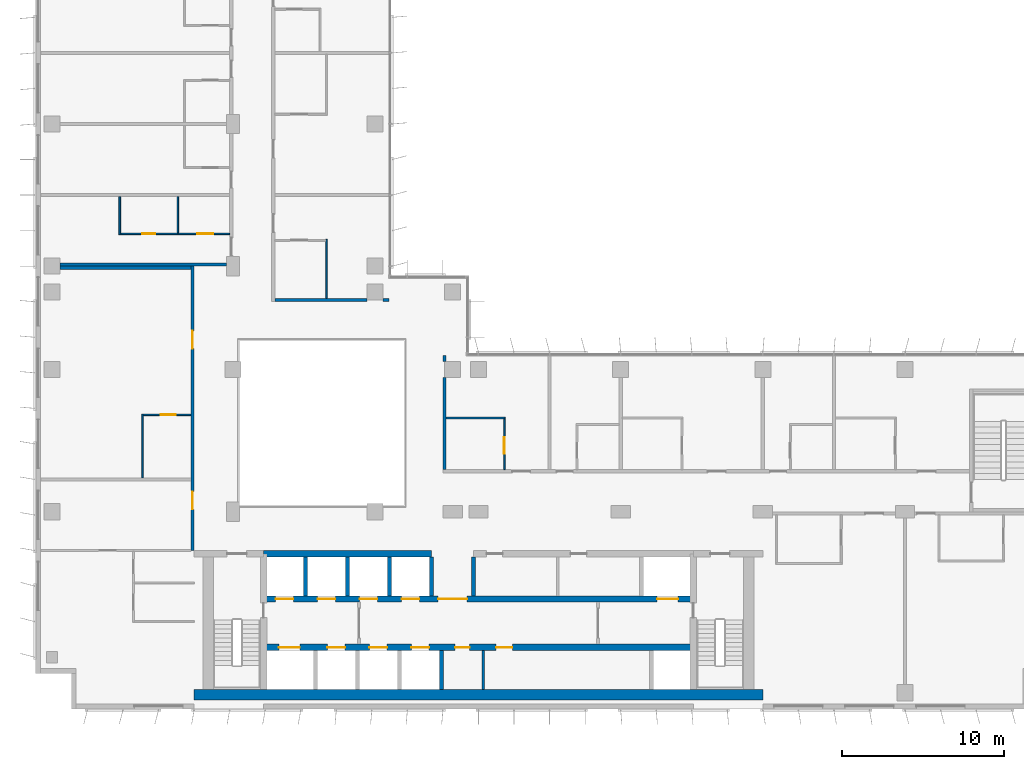
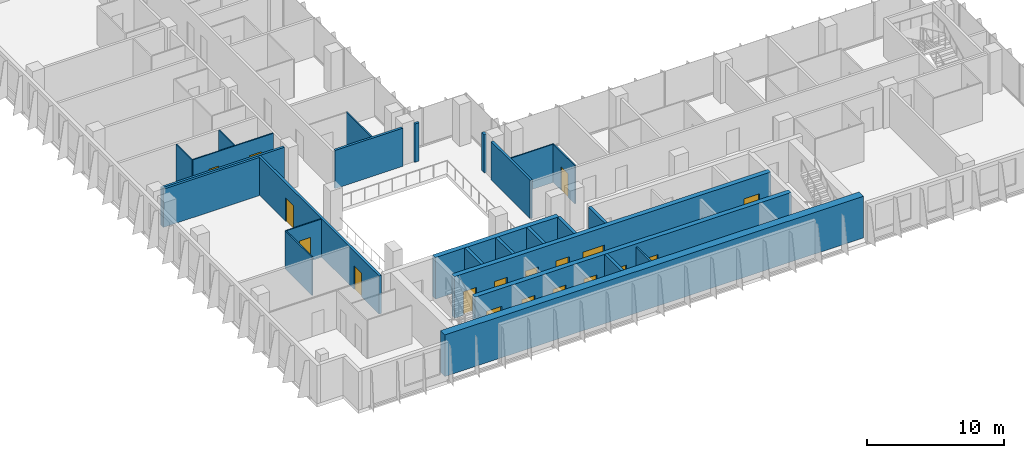
# One storey, part 13 of 21: 26 walls, 18 doors, 18 openings.
"""IFC4 building model written with IfcOpenShell, lengths in metres."""

from ifc_helpers import new_model, si_unit, direction, frame, frame_2d, origin, place, context, subcontext, project, spatial, rectangle, extrude, material, layer, layer_set, type_object, element, fill, save


model = new_model("IFC4")

# Units and contexts
model_context = context("Model", 3, precision=1e-05, world=origin(), true_north=direction((0.0, 1.0)))
body_context = subcontext(model_context, "Body", "Model", "MODEL_VIEW")
ifc_project = project(units=[si_unit("LENGTHUNIT", "METRE"), si_unit("AREAUNIT", "SQUARE_METRE"), si_unit("VOLUMEUNIT", "CUBIC_METRE"), si_unit("PLANEANGLEUNIT", "RADIAN"), si_unit("MASSUNIT", "GRAM", prefix="KILO")], contexts=[model_context])

# Site, building, storey
site_placement = place(None, origin())
site = spatial("IfcSite", under=ifc_project, at=site_placement, CompositionType="ELEMENT")
building_placement = place(site_placement, origin())
building = spatial("IfcBuilding", under=site, at=building_placement, Name="Kemantara Hotel Tower", CompositionType="ELEMENT")
storey_placement = place(building_placement, frame((0.0, 0.0, 164.199951171875)))
storey = spatial("IfcBuildingStorey", under=building, at=storey_placement, Name="L40", CompositionType="ELEMENT", Elevation=164.199951171875)

# Walls
ifc_material_1 = material(Name="Concrete fc 60 MPa", Category="concrete")
ifc_layer_1 = layer(ifc_material_1, 0.25)
ifc_layer_set_1 = layer_set([ifc_layer_1], Name="Concrete fc 60 MPa")
wall_type_1 = type_object("IfcWallType", Name="CORE WALL 250 FC60", PredefinedType="SHEAR", material=ifc_layer_set_1)
wall_1_placement = place(storey_placement, frame((25.10009765625, 1.199951171875, 0.0), z_axis=(0.0, 0.0, 1.0), x_axis=(0.0, 1.0, 0.0)))
element("IfcWall", 1, at=wall_1_placement, inside=storey, type_object=wall_type_1, Name="CORE WALL CW-DS25.1", PredefinedType="SHEAR", context=body_context, shape_type="SweptSolid", body=[
    extrude(rectangle(XDim=2.400146484375, YDim=0.25, at=frame_2d((1.2001953125, 0.0))), origin(), (0.0, 0.0, 1.0), 3.699951171875),
])
for number, where, z_axis, x_axis, name in (
    (2, (16.699951171875, 7.0, 0.0), (0.0, 0.0, 1.0), (0.0, 1.0, 0.0), "CORE WALL CW-DN16.7"),
    (3, (19.300048828125, 7.0, 0.0), (0.0, 0.0, 1.0), (0.0, 1.0, 0.0), "CORE WALL CW-DN19.3"),
    (4, (21.89990234375, 7.0, 0.0), (0.0, 0.0, 1.0), (0.0, 1.0, 0.0), "CORE WALL CW-DN21.9"),
    (5, (24.5, 7.0, 0.0), (0.0, 0.0, 1.0), (0.0, 1.0, 0.0), "CORE WALL CW-DN24.5"),
    (6, (27.10009765625, 7.0, 0.0), (0.0, 0.0, 1.0), (0.0, 1.0, 0.0), "CORE WALL CW-DN27.1"),
):
    element("IfcWall", number, at=place(storey_placement, frame(where, z_axis=z_axis, x_axis=x_axis)), inside=storey, type_object=wall_type_1, Name=name, PredefinedType="SHEAR", context=body_context, shape_type="SweptSolid", body=[
        extrude(rectangle(XDim=2.39990234375, YDim=0.25, at=frame_2d((1.199951171875, 0.0))), origin(), (0.0, 0.0, 1.0), 3.699951171875),
    ])
ifc_layer_2 = layer(ifc_material_1, 0.39990234375)
ifc_layer_set_2 = layer_set([ifc_layer_2], Name="Concrete fc 60 MPa")
wall_type_2 = type_object("IfcWallType", Name="CORE WALL 400 FC60", PredefinedType="SHEAR", material=ifc_layer_set_2)
wall_2_placement = place(storey_placement, frame((14.10009765625, 9.60009765625, 0.0), z_axis=(0.0, 0.0, 1.0), x_axis=(1.0, 0.0, 0.0)))
element("IfcWall", 7, at=wall_2_placement, inside=storey, type_object=wall_type_2, Name="CORE WALL CW-NN1", PredefinedType="SHEAR", context=body_context, shape_type="SweptSolid", body=[
    extrude(rectangle(XDim=10.39990234375, YDim=0.39990234375, at=frame_2d((5.199951171875, 0.0))), origin(), (0.0, 0.0, 1.0), 3.699951171875),
])

# Wall, openings, doors
wall_3_placement = place(storey_placement, frame((14.10009765625, 3.800048828125, 0.0), z_axis=(0.0, 0.0, 1.0), x_axis=(1.0, 0.0, 0.0)))
wall_3 = element("IfcWall", 8, at=wall_3_placement, inside=storey, type_object=wall_type_2, Name="CORE WALL CW-L1", PredefinedType="SHEAR", context=body_context, shape_type="SweptSolid", body=[
    extrude(rectangle(XDim=26.599853515625, YDim=0.39990234375, at=frame_2d((13.2998046875, 0.0))), origin(), (0.0, 0.0, 1.0), 3.699951171875),
])
opening_1_placement = place(wall_3_placement, frame((0.949951171875, 0.0, 0.0)))
opening_1 = element("IfcOpeningElement", 9, at=opening_1_placement, cuts=wall_3, Name="Opening C25-LD-FF1", PredefinedType="OPENING", context=body_context, shape_type="SweptSolid", body=[
    extrude(rectangle(XDim=1.300048828125, YDim=2.10009765625, at=frame_2d((0.64990234375, 1.050048828125))), frame((0.0, 0.2099609375, 0.0), z_axis=(0.0, -1.0, 0.0), x_axis=(1.0, 0.0, 0.0)), (0.0, 0.0, 1.0), 0.419921875),
])
opening_2_placement = place(wall_3_placement, frame((3.949951171875, 0.0, 0.0)))
opening_2 = element("IfcOpeningElement", 10, at=opening_2_placement, cuts=wall_3, Name="Opening C25-LD-SV1", PredefinedType="OPENING", context=body_context, shape_type="SweptSolid", body=[
    extrude(rectangle(XDim=1.10009765625, YDim=2.10009765625, at=frame_2d((0.550048828125, 1.050048828125))), frame((0.0, 0.2099609375, 0.0), z_axis=(0.0, -1.0, 0.0), x_axis=(1.0, 0.0, 0.0)), (0.0, 0.0, 1.0), 0.419921875),
])
opening_3_placement = place(wall_3_placement, frame((6.550048828125, 0.0, 0.0)))
opening_3 = element("IfcOpeningElement", 11, at=opening_3_placement, cuts=wall_3, Name="Opening C25-LD-SV2", PredefinedType="OPENING", context=body_context, shape_type="SweptSolid", body=[
    extrude(rectangle(XDim=1.10009765625, YDim=2.10009765625, at=frame_2d((0.550048828125, 1.050048828125))), frame((0.0, 0.2099609375, 0.0), z_axis=(0.0, -1.0, 0.0), x_axis=(1.0, 0.0, 0.0)), (0.0, 0.0, 1.0), 0.419921875),
])
opening_4_placement = place(wall_3_placement, frame((9.14990234375, 0.0, 0.0)))
opening_4 = element("IfcOpeningElement", 12, at=opening_4_placement, cuts=wall_3, Name="Opening C25-LD-SV3", PredefinedType="OPENING", context=body_context, shape_type="SweptSolid", body=[
    extrude(rectangle(XDim=1.10009765625, YDim=2.10009765625, at=frame_2d((0.550048828125, 1.050048828125))), frame((0.0, 0.2099609375, 0.0), z_axis=(0.0, -1.0, 0.0), x_axis=(1.0, 0.0, 0.0)), (0.0, 0.0, 1.0), 0.419921875),
])
opening_5_placement = place(wall_3_placement, frame((11.85009765625, 0.0, 0.0)))
opening_5 = element("IfcOpeningElement", 13, at=opening_5_placement, cuts=wall_3, Name="Opening C25-R-SM1", PredefinedType="OPENING", context=body_context, shape_type="SweptSolid", body=[
    extrude(rectangle(XDim=0.89990234375, YDim=2.10009765625, at=frame_2d((0.449951171875, 1.050048828125))), frame((0.0, 0.2099609375, 0.0), z_axis=(0.0, -1.0, 0.0), x_axis=(1.0, 0.0, 0.0)), (0.0, 0.0, 1.0), 0.419921875),
])
opening_6_placement = place(wall_3_placement, frame((14.39990234375, 0.0, 0.0)))
opening_6 = element("IfcOpeningElement", 14, at=opening_6_placement, cuts=wall_3, Name="Opening C25-R-SM2", PredefinedType="OPENING", context=body_context, shape_type="SweptSolid", body=[
    extrude(rectangle(XDim=1.0, YDim=2.10009765625, at=frame_2d((0.5, 1.050048828125))), frame((0.0, 0.2099609375, 0.0), z_axis=(0.0, -1.0, 0.0), x_axis=(1.0, 0.0, 0.0)), (0.0, 0.0, 1.0), 0.419921875),
])
ifc_material_2 = material(Name="Steel fire door", Category="steel")
door_type_1 = type_object("IfcDoorType", Name="Fire door FD30S 1000 x 2100", OperationType="NOTDEFINED", PredefinedType="DOOR", material=ifc_material_2)
door_1_placement = place(opening_6_placement, frame((1.0, 0.0, 0.0), z_axis=(0.0, 0.0, 1.0), x_axis=(-1.0, 0.0, 0.0)))
door_1 = element("IfcDoor", 15, at=door_1_placement, inside=storey, type_object=door_type_1, Name="Guest Pantry door", OperationType="SINGLE_SWING_LEFT", OverallHeight=2.10009765625, OverallWidth=1.0, PredefinedType="DOOR", context=body_context, shape_type="SweptSolid", body=[
    extrude(rectangle(XDim=1.0, YDim=2.10009765625, at=frame_2d((0.5, 1.050048828125))), frame((0.0, 0.02490234375, 0.0), z_axis=(0.0, -1.0, 0.0), x_axis=(1.0, 0.0, 0.0)), (0.0, 0.0, 1.0), 0.050048828125),
])
fill(opening_6, door_1)
door_type_2 = type_object("IfcDoorType", Name="Fire door FD60 900 x 2100", OperationType="NOTDEFINED", PredefinedType="DOOR", material=ifc_material_2)
door_2_placement = place(opening_5_placement, frame((0.89990234375, 0.0, 0.0), z_axis=(0.0, 0.0, 1.0), x_axis=(-1.0, 0.0, 0.0)))
door_2 = element("IfcDoor", 16, at=door_2_placement, inside=storey, type_object=door_type_2, Name="Electrical Riser Room door", OperationType="SINGLE_SWING_RIGHT", OverallHeight=2.10009765625, OverallWidth=0.89990234375, PredefinedType="DOOR", context=body_context, shape_type="SweptSolid", body=[
    extrude(rectangle(XDim=0.89990234375, YDim=2.10009765625, at=frame_2d((0.449951171875, 1.050048828125))), frame((0.0, 0.02490234375, 0.0), z_axis=(0.0, -1.0, 0.0), x_axis=(1.0, 0.0, 0.0)), (0.0, 0.0, 1.0), 0.050048828125),
])
fill(opening_5, door_2)
ifc_material_3 = material(Name="Stainless steel lift door", Category="steel")
door_type_3 = type_object("IfcDoorType", Name="Lift landing door 1100 x 2100 FD60", OperationType="DOUBLE_DOOR_SLIDING", PredefinedType="DOOR", material=ifc_material_3)
door_3_placement = place(opening_2_placement, origin())
door_3 = element("IfcDoor", 17, at=door_3_placement, inside=storey, type_object=door_type_3, Name="Lift SV1 landing door", OperationType="DOUBLE_DOOR_SLIDING", OverallHeight=2.10009765625, OverallWidth=1.10009765625, PredefinedType="DOOR", context=body_context, shape_type="SweptSolid", body=[
    extrude(rectangle(XDim=1.10009765625, YDim=2.10009765625, at=frame_2d((0.550048828125, 1.050048828125))), frame((0.0, 0.02490234375, 0.0), z_axis=(0.0, -1.0, 0.0), x_axis=(1.0, 0.0, 0.0)), (0.0, 0.0, 1.0), 0.050048828125),
])
fill(opening_2, door_3)
door_4_placement = place(opening_3_placement, origin())
door_4 = element("IfcDoor", 18, at=door_4_placement, inside=storey, type_object=door_type_3, Name="Lift SV2 landing door", OperationType="DOUBLE_DOOR_SLIDING", OverallHeight=2.10009765625, OverallWidth=1.10009765625, PredefinedType="DOOR", context=body_context, shape_type="SweptSolid", body=[
    extrude(rectangle(XDim=1.10009765625, YDim=2.10009765625, at=frame_2d((0.550048828125, 1.050048828125))), frame((0.0, 0.02490234375, 0.0), z_axis=(0.0, -1.0, 0.0), x_axis=(1.0, 0.0, 0.0)), (0.0, 0.0, 1.0), 0.050048828125),
])
fill(opening_3, door_4)
door_5_placement = place(opening_4_placement, origin())
door_5 = element("IfcDoor", 19, at=door_5_placement, inside=storey, type_object=door_type_3, Name="Lift SV3 landing door", OperationType="DOUBLE_DOOR_SLIDING", OverallHeight=2.10009765625, OverallWidth=1.10009765625, PredefinedType="DOOR", context=body_context, shape_type="SweptSolid", body=[
    extrude(rectangle(XDim=1.10009765625, YDim=2.10009765625, at=frame_2d((0.550048828125, 1.050048828125))), frame((0.0, 0.02490234375, 0.0), z_axis=(0.0, -1.0, 0.0), x_axis=(1.0, 0.0, 0.0)), (0.0, 0.0, 1.0), 0.050048828125),
])
fill(opening_4, door_5)
door_type_4 = type_object("IfcDoorType", Name="Lift landing door 1300 x 2100 FD90", OperationType="DOUBLE_DOOR_SLIDING", PredefinedType="DOOR", material=ifc_material_3)
door_6_placement = place(opening_1_placement, origin())
door_6 = element("IfcDoor", 20, at=door_6_placement, inside=storey, type_object=door_type_4, Name="Lift FF1 landing door", OperationType="DOUBLE_DOOR_SLIDING", OverallHeight=2.10009765625, OverallWidth=1.300048828125, PredefinedType="DOOR", context=body_context, shape_type="SweptSolid", body=[
    extrude(rectangle(XDim=1.300048828125, YDim=2.10009765625, at=frame_2d((0.64990234375, 1.050048828125))), frame((0.0, 0.02490234375, 0.0), z_axis=(0.0, -1.0, 0.0), x_axis=(1.0, 0.0, 0.0)), (0.0, 0.0, 1.0), 0.050048828125),
])
fill(opening_1, door_6)

wall_4_placement = place(storey_placement, frame((14.10009765625, 6.800048828125, 0.0), z_axis=(0.0, 0.0, 1.0), x_axis=(1.0, 0.0, 0.0)))
wall_4 = element("IfcWall", 21, at=wall_4_placement, inside=storey, type_object=wall_type_2, Name="CORE WALL CW-L2", PredefinedType="SHEAR", context=body_context, shape_type="SweptSolid", body=[
    extrude(rectangle(XDim=26.599853515625, YDim=0.39990234375, at=frame_2d((13.2998046875, 0.0))), origin(), (0.0, 0.0, 1.0), 3.699951171875),
])
opening_7_placement = place(wall_4_placement, frame((10.800048828125, 0.0, 0.0)))
opening_7 = element("IfcOpeningElement", 22, at=opening_7_placement, cuts=wall_4, Name="Opening C25-VL", PredefinedType="OPENING", context=body_context, shape_type="SweptSolid", body=[
    extrude(rectangle(XDim=1.800048828125, YDim=2.10009765625, at=frame_2d((0.89990234375, 1.050048828125))), frame((0.0, 0.2099609375, 0.0), z_axis=(0.0, -1.0, 0.0), x_axis=(1.0, 0.0, 0.0)), (0.0, 0.0, 1.0), 0.419921875),
])
opening_8_placement = place(wall_4_placement, frame((0.75, 0.0, 0.0)))
opening_8 = element("IfcOpeningElement", 23, at=opening_8_placement, cuts=wall_4, Name="Opening C25-LD-MR1", PredefinedType="OPENING", context=body_context, shape_type="SweptSolid", body=[
    extrude(rectangle(XDim=1.10009765625, YDim=2.10009765625, at=frame_2d((0.550048828125, 1.050048828125))), frame((0.0, 0.2099609375, 0.0), z_axis=(0.0, -1.0, 0.0), x_axis=(1.0, 0.0, 0.0)), (0.0, 0.0, 1.0), 0.419921875),
])
opening_9_placement = place(wall_4_placement, frame((3.35009765625, 0.0, 0.0)))
opening_9 = element("IfcOpeningElement", 24, at=opening_9_placement, cuts=wall_4, Name="Opening C25-LD-MR2", PredefinedType="OPENING", context=body_context, shape_type="SweptSolid", body=[
    extrude(rectangle(XDim=1.10009765625, YDim=2.10009765625, at=frame_2d((0.550048828125, 1.050048828125))), frame((0.0, 0.2099609375, 0.0), z_axis=(0.0, -1.0, 0.0), x_axis=(1.0, 0.0, 0.0)), (0.0, 0.0, 1.0), 0.419921875),
])
opening_10_placement = place(wall_4_placement, frame((5.949951171875, 0.0, 0.0)))
opening_10 = element("IfcOpeningElement", 25, at=opening_10_placement, cuts=wall_4, Name="Opening C25-LD-MR3", PredefinedType="OPENING", context=body_context, shape_type="SweptSolid", body=[
    extrude(rectangle(XDim=1.10009765625, YDim=2.10009765625, at=frame_2d((0.550048828125, 1.050048828125))), frame((0.0, 0.2099609375, 0.0), z_axis=(0.0, -1.0, 0.0), x_axis=(1.0, 0.0, 0.0)), (0.0, 0.0, 1.0), 0.419921875),
])
opening_11_placement = place(wall_4_placement, frame((8.550048828125, 0.0, 0.0)))
opening_11 = element("IfcOpeningElement", 26, at=opening_11_placement, cuts=wall_4, Name="Opening C25-LD-MR4", PredefinedType="OPENING", context=body_context, shape_type="SweptSolid", body=[
    extrude(rectangle(XDim=1.10009765625, YDim=2.10009765625, at=frame_2d((0.550048828125, 1.050048828125))), frame((0.0, 0.2099609375, 0.0), z_axis=(0.0, -1.0, 0.0), x_axis=(1.0, 0.0, 0.0)), (0.0, 0.0, 1.0), 0.419921875),
])
opening_12_placement = place(wall_4_placement, frame((24.35009765625, 0.0, 0.0)))
opening_12 = element("IfcOpeningElement", 27, at=opening_12_placement, cuts=wall_4, Name="Opening C25-LD-FF2", PredefinedType="OPENING", context=body_context, shape_type="SweptSolid", body=[
    extrude(rectangle(XDim=1.300048828125, YDim=2.10009765625, at=frame_2d((0.64990234375, 1.050048828125))), frame((0.0, 0.2099609375, 0.0), z_axis=(0.0, -1.0, 0.0), x_axis=(1.0, 0.0, 0.0)), (0.0, 0.0, 1.0), 0.419921875),
])
door_type_5 = type_object("IfcDoorType", Name="Fire door pair FD60 1800 x 2100", OperationType="DOUBLE_DOOR_SINGLE_SWING", PredefinedType="DOOR", material=ifc_material_2)
door_7_placement = place(opening_7_placement, frame((1.800048828125, 0.0, 0.0), z_axis=(0.0, 0.0, 1.0), x_axis=(-1.0, 0.0, 0.0)))
door_7 = element("IfcDoor", 28, at=door_7_placement, inside=storey, type_object=door_type_5, Name="Lift lobby entry door", OperationType="DOUBLE_DOOR_SINGLE_SWING", OverallHeight=2.10009765625, OverallWidth=1.800048828125, PredefinedType="DOOR", context=body_context, shape_type="SweptSolid", body=[
    extrude(rectangle(XDim=1.800048828125, YDim=2.10009765625, at=frame_2d((0.89990234375, 1.050048828125))), frame((0.0, 0.02490234375, 0.0), z_axis=(0.0, -1.0, 0.0), x_axis=(1.0, 0.0, 0.0)), (0.0, 0.0, 1.0), 0.050048828125),
])
fill(opening_7, door_7)
door_8_placement = place(opening_8_placement, origin())
door_8 = element("IfcDoor", 29, at=door_8_placement, inside=storey, type_object=door_type_3, Name="Lift MR1 landing door", OperationType="DOUBLE_DOOR_SLIDING", OverallHeight=2.10009765625, OverallWidth=1.10009765625, PredefinedType="DOOR", context=body_context, shape_type="SweptSolid", body=[
    extrude(rectangle(XDim=1.10009765625, YDim=2.10009765625, at=frame_2d((0.550048828125, 1.050048828125))), frame((0.0, 0.02490234375, 0.0), z_axis=(0.0, -1.0, 0.0), x_axis=(1.0, 0.0, 0.0)), (0.0, 0.0, 1.0), 0.050048828125),
])
fill(opening_8, door_8)
door_9_placement = place(opening_9_placement, origin())
door_9 = element("IfcDoor", 30, at=door_9_placement, inside=storey, type_object=door_type_3, Name="Lift MR2 landing door", OperationType="DOUBLE_DOOR_SLIDING", OverallHeight=2.10009765625, OverallWidth=1.10009765625, PredefinedType="DOOR", context=body_context, shape_type="SweptSolid", body=[
    extrude(rectangle(XDim=1.10009765625, YDim=2.10009765625, at=frame_2d((0.550048828125, 1.050048828125))), frame((0.0, 0.02490234375, 0.0), z_axis=(0.0, -1.0, 0.0), x_axis=(1.0, 0.0, 0.0)), (0.0, 0.0, 1.0), 0.050048828125),
])
fill(opening_9, door_9)
door_10_placement = place(opening_10_placement, origin())
door_10 = element("IfcDoor", 31, at=door_10_placement, inside=storey, type_object=door_type_3, Name="Lift MR3 landing door", OperationType="DOUBLE_DOOR_SLIDING", OverallHeight=2.10009765625, OverallWidth=1.10009765625, PredefinedType="DOOR", context=body_context, shape_type="SweptSolid", body=[
    extrude(rectangle(XDim=1.10009765625, YDim=2.10009765625, at=frame_2d((0.550048828125, 1.050048828125))), frame((0.0, 0.02490234375, 0.0), z_axis=(0.0, -1.0, 0.0), x_axis=(1.0, 0.0, 0.0)), (0.0, 0.0, 1.0), 0.050048828125),
])
fill(opening_10, door_10)
door_11_placement = place(opening_11_placement, origin())
door_11 = element("IfcDoor", 32, at=door_11_placement, inside=storey, type_object=door_type_3, Name="Lift MR4 landing door", OperationType="DOUBLE_DOOR_SLIDING", OverallHeight=2.10009765625, OverallWidth=1.10009765625, PredefinedType="DOOR", context=body_context, shape_type="SweptSolid", body=[
    extrude(rectangle(XDim=1.10009765625, YDim=2.10009765625, at=frame_2d((0.550048828125, 1.050048828125))), frame((0.0, 0.02490234375, 0.0), z_axis=(0.0, -1.0, 0.0), x_axis=(1.0, 0.0, 0.0)), (0.0, 0.0, 1.0), 0.050048828125),
])
fill(opening_11, door_11)
door_12_placement = place(opening_12_placement, origin())
door_12 = element("IfcDoor", 33, at=door_12_placement, inside=storey, type_object=door_type_4, Name="Lift FF2 landing door", OperationType="DOUBLE_DOOR_SLIDING", OverallHeight=2.10009765625, OverallWidth=1.300048828125, PredefinedType="DOOR", context=body_context, shape_type="SweptSolid", body=[
    extrude(rectangle(XDim=1.300048828125, YDim=2.10009765625, at=frame_2d((0.64990234375, 1.050048828125))), frame((0.0, 0.02490234375, 0.0), z_axis=(0.0, -1.0, 0.0), x_axis=(1.0, 0.0, 0.0)), (0.0, 0.0, 1.0), 0.050048828125),
])
fill(opening_12, door_12)

# Wall
ifc_layer_3 = layer(ifc_material_1, 0.64990234375)
ifc_layer_set_3 = layer_set([ifc_layer_3], Name="Concrete fc 60 MPa")
wall_type_3 = type_object("IfcWallType", Name="CORE WALL 650 FC60", PredefinedType="SHEAR", material=ifc_layer_set_3)
wall_5_placement = place(storey_placement, frame((9.800048828125, 0.875, 0.0), z_axis=(0.0, 0.0, 1.0), x_axis=(1.0, 0.0, 0.0)))
element("IfcWall", 34, at=wall_5_placement, inside=storey, type_object=wall_type_3, Name="CORE WALL CW-S", PredefinedType="SHEAR", context=body_context, shape_type="SweptSolid", body=[
    extrude(rectangle(XDim=35.199951171875, YDim=0.64990234375, at=frame_2d((17.60009765625, 0.0))), origin(), (0.0, 0.0, 1.0), 3.699951171875),
])

# Wall, openings, doors
ifc_material_4 = material(Name="Gypsum board partition, steel studs and mineral wool, 200 mm", Category="steel")
ifc_layer_4 = layer(ifc_material_4, 0.199951171875)
ifc_layer_set_4 = layer_set([ifc_layer_4], Name="Gypsum board partition, steel studs and mineral wool, 200 mm")
wall_type_4 = type_object("IfcWallType", Name="CORRIDOR WALL 200", PredefinedType="PARTITIONING", material=ifc_layer_set_4)
wall_6_placement = place(storey_placement, frame((9.699951171875, 9.800048828125, 0.0), z_axis=(0.0, 0.0, 1.0), x_axis=(0.0, 1.0, 0.0)))
wall_6 = element("IfcWall", 35, at=wall_6_placement, inside=storey, type_object=wall_type_4, Name="CORRIDOR WALL 200 012", PredefinedType="PARTITIONING", context=body_context, shape_type="SweptSolid", body=[
    extrude(rectangle(XDim=17.599853515625, YDim=0.199951171875, at=frame_2d((8.7998046875, 0.0))), origin(), (0.0, 0.0, 1.0), 3.400146484375),
])
opening_13_placement = place(wall_6_placement, frame((2.550048828125, 0.0, 0.0)))
opening_13 = element("IfcOpeningElement", 36, at=opening_13_placement, cuts=wall_6, Name="Opening F18-015", PredefinedType="OPENING", context=body_context, shape_type="SweptSolid", body=[
    extrude(rectangle(XDim=1.10009765625, YDim=2.10009765625, at=frame_2d((0.550048828125, 1.050048828125))), frame((0.0, 0.10986328125, 0.0), z_axis=(0.0, -1.0, 0.0), x_axis=(1.0, 0.0, 0.0)), (0.0, 0.0, 1.0), 0.219970703125),
])
opening_14_placement = place(wall_6_placement, frame((12.5, 0.0, 0.0)))
opening_14 = element("IfcOpeningElement", 37, at=opening_14_placement, cuts=wall_6, Name="Opening F18-019", PredefinedType="OPENING", context=body_context, shape_type="SweptSolid", body=[
    extrude(rectangle(XDim=1.10009765625, YDim=2.10009765625, at=frame_2d((0.550048828125, 1.050048828125))), frame((0.0, 0.10986328125, 0.0), z_axis=(0.0, -1.0, 0.0), x_axis=(1.0, 0.0, 0.0)), (0.0, 0.0, 1.0), 0.219970703125),
])
ifc_material_5 = material(Name="Hardwood veneer door leaf with steel frame", Category="steel")
door_type_6 = type_object("IfcDoorType", Name="SUITE ENTRANCE DOOR 1100 X 2100 FD30S", OperationType="NOTDEFINED", PredefinedType="DOOR", material=ifc_material_5)
door_13_placement = place(opening_13_placement, origin())
door_13 = element("IfcDoor", 38, at=door_13_placement, inside=storey, type_object=door_type_6, Name="SUITE ENTRANCE DOOR F18-015", OperationType="SINGLE_SWING_RIGHT", OverallHeight=2.10009765625, OverallWidth=1.10009765625, PredefinedType="DOOR", context=body_context, shape_type="SweptSolid", body=[
    extrude(rectangle(XDim=1.10009765625, YDim=2.10009765625, at=frame_2d((0.550048828125, 1.050048828125))), frame((0.0, 0.02490234375, 0.0), z_axis=(0.0, -1.0, 0.0), x_axis=(1.0, 0.0, 0.0)), (0.0, 0.0, 1.0), 0.050048828125),
])
fill(opening_13, door_13)
door_14_placement = place(opening_14_placement, origin())
door_14 = element("IfcDoor", 39, at=door_14_placement, inside=storey, type_object=door_type_6, Name="SUITE ENTRANCE DOOR F18-019", OperationType="SINGLE_SWING_RIGHT", OverallHeight=2.10009765625, OverallWidth=1.10009765625, PredefinedType="DOOR", context=body_context, shape_type="SweptSolid", body=[
    extrude(rectangle(XDim=1.10009765625, YDim=2.10009765625, at=frame_2d((0.550048828125, 1.050048828125))), frame((0.0, 0.02490234375, 0.0), z_axis=(0.0, -1.0, 0.0), x_axis=(1.0, 0.0, 0.0)), (0.0, 0.0, 1.0), 0.050048828125),
])
fill(opening_14, door_14)

# Walls
ifc_layer_5 = layer(ifc_material_4, 0.199951171875)
ifc_layer_set_5 = layer_set([ifc_layer_5], Name="Gypsum board partition, steel studs and mineral wool, 200 mm")
wall_type_5 = type_object("IfcWallType", Name="GUEST ROOM PARTY WALL 200", PredefinedType="PARTITIONING", material=ifc_layer_set_5)
wall_7_placement = place(storey_placement, frame((25.300048828125, 14.800048828125, 0.0), z_axis=(0.0, 0.0, 1.0), x_axis=(0.0, 1.0, 0.0)))
element("IfcWall", 40, at=wall_7_placement, inside=storey, type_object=wall_type_5, Name="GUEST ROOM PARTY WALL 200 006", PredefinedType="PARTITIONING", context=body_context, shape_type="SweptSolid", body=[
    extrude(rectangle(XDim=5.699951171875, YDim=0.199951171875, at=frame_2d((2.85009765625, 0.0))), origin(), (0.0, 0.0, 1.0), 3.400146484375),
])
wall_8_placement = place(storey_placement, frame((25.300048828125, 21.5, 0.0), z_axis=(0.0, 0.0, 1.0), x_axis=(0.0, 1.0, 0.0)))
element("IfcWall", 41, at=wall_8_placement, inside=storey, type_object=wall_type_5, Name="GUEST ROOM PARTY WALL 200 007", PredefinedType="PARTITIONING", context=body_context, shape_type="SweptSolid", body=[
    extrude(rectangle(XDim=0.3701171875, YDim=0.199951171875, at=frame_2d((0.18505859375, 0.0))), origin(), (0.0, 0.0, 1.0), 3.400146484375),
])
wall_9_placement = place(storey_placement, frame((1.5, 27.300048828125, 0.0), z_axis=(0.0, 0.0, 1.0), x_axis=(1.0, 0.0, 0.0)))
element("IfcWall", 42, at=wall_9_placement, inside=storey, type_object=wall_type_5, Name="GUEST ROOM PARTY WALL 200 014", PredefinedType="PARTITIONING", context=body_context, shape_type="SweptSolid", body=[
    extrude(rectangle(XDim=8.10009765625, YDim=0.199951171875, at=frame_2d((4.050048828125, 0.0))), origin(), (0.0, 0.0, 1.0), 3.400146484375),
])
wall_10_placement = place(storey_placement, frame((1.5, 27.5, 0.0), z_axis=(0.0, 0.0, 1.0), x_axis=(1.0, 0.0, 0.0)))
element("IfcWall", 43, at=wall_10_placement, inside=storey, type_object=wall_type_5, Name="GUEST ROOM PARTY WALL 200 019", PredefinedType="PARTITIONING", context=body_context, shape_type="SweptSolid", body=[
    extrude(rectangle(XDim=10.2998046875, YDim=0.199951171875, at=frame_2d((5.14990234375, 0.0))), origin(), (0.0, 0.0, 1.0), 3.400146484375),
])
wall_11_placement = place(storey_placement, frame((14.800048828125, 25.300048828125, 0.0), z_axis=(0.0, 0.0, 1.0), x_axis=(1.0, 0.0, 0.0)))
element("IfcWall", 44, at=wall_11_placement, inside=storey, type_object=wall_type_5, Name="GUEST ROOM PARTY WALL 200 028", PredefinedType="PARTITIONING", context=body_context, shape_type="SweptSolid", body=[
    extrude(rectangle(XDim=5.699951171875, YDim=0.199951171875, at=frame_2d((2.85009765625, 0.0))), origin(), (0.0, 0.0, 1.0), 3.400146484375),
])
wall_12_placement = place(storey_placement, frame((21.5, 25.300048828125, 0.0), z_axis=(0.0, 0.0, 1.0), x_axis=(1.0, 0.0, 0.0)))
element("IfcWall", 45, at=wall_12_placement, inside=storey, type_object=wall_type_5, Name="GUEST ROOM PARTY WALL 200 029", PredefinedType="PARTITIONING", context=body_context, shape_type="SweptSolid", body=[
    extrude(rectangle(XDim=0.3701171875, YDim=0.199951171875, at=frame_2d((0.18505859375, 0.0))), origin(), (0.0, 0.0, 1.0), 3.400146484375),
])
ifc_material_6 = material(Name="Gypsum board partition")
ifc_layer_6 = layer(ifc_material_6, 0.14990234375)
ifc_layer_set_6 = layer_set([ifc_layer_6], Name="Gypsum board partition")
wall_type_6 = type_object("IfcWallType", Name="Gypsum board partition 150 mm", PredefinedType="PARTITIONING", material=ifc_layer_set_6)
wall_13_placement = place(storey_placement, frame((27.699951171875, 1.199951171875, 0.0), z_axis=(0.0, 0.0, 1.0), x_axis=(0.0, 1.0, 0.0)))
element("IfcWall", 46, at=wall_13_placement, inside=storey, type_object=wall_type_6, Name="Core room partition", PredefinedType="PARTITIONING", context=body_context, shape_type="SweptSolid", body=[
    extrude(rectangle(XDim=2.400146484375, YDim=0.14990234375, at=frame_2d((1.2001953125, 0.0))), origin(), (0.0, 0.0, 1.0), 3.400146484375),
])
ifc_material_7 = material(Name="Gypsum board partition on steel studs, 100 mm", Category="steel")
ifc_layer_7 = layer(ifc_material_7, 0.10009765625)
ifc_layer_set_7 = layer_set([ifc_layer_7], Name="Gypsum board partition on steel studs, 100 mm")
wall_type_7 = type_object("IfcWallType", Name="ROOM PARTITION 100", PredefinedType="PARTITIONING", material=ifc_layer_set_7)
wall_14_placement = place(storey_placement, frame((25.39990234375, 18.0, 0.0), z_axis=(0.0, 0.0, 1.0), x_axis=(1.0, 0.0, 0.0)))
element("IfcWall", 47, at=wall_14_placement, inside=storey, type_object=wall_type_7, Name="ROOM PARTITION 100 038", PredefinedType="PARTITIONING", context=body_context, shape_type="SweptSolid", body=[
    extrude(rectangle(XDim=3.650146484375, YDim=0.10009765625, at=frame_2d((1.8251953125, 0.0))), origin(), (0.0, 0.0, 1.0), 3.400146484375),
])

# Wall, opening, door
wall_15_placement = place(storey_placement, frame((29.0, 14.800048828125, 0.0), z_axis=(0.0, 0.0, 1.0), x_axis=(0.0, 1.0, 0.0)))
wall_15 = element("IfcWall", 48, at=wall_15_placement, inside=storey, type_object=wall_type_7, Name="ROOM PARTITION 100 041", PredefinedType="PARTITIONING", context=body_context, shape_type="SweptSolid", body=[
    extrude(rectangle(XDim=3.14990234375, YDim=0.10009765625, at=frame_2d((1.574951171875, 0.0))), origin(), (0.0, 0.0, 1.0), 3.400146484375),
])
opening_15_placement = place(wall_15_placement, frame((1.0, 0.0, 0.0)))
opening_15 = element("IfcOpeningElement", 49, at=opening_15_placement, cuts=wall_15, Name="Opening F18-006", PredefinedType="OPENING", context=body_context, shape_type="SweptSolid", body=[
    extrude(rectangle(XDim=1.0, YDim=2.10009765625, at=frame_2d((0.5, 1.050048828125))), frame((0.0, 0.06005859375, 0.0), z_axis=(0.0, -1.0, 0.0), x_axis=(1.0, 0.0, 0.0)), (0.0, 0.0, 1.0), 0.1201171875),
])
door_type_7 = type_object("IfcDoorType", Name="BATHROOM DOOR 1000 X 2100", OperationType="NOTDEFINED", PredefinedType="DOOR", material=ifc_material_5)
door_15_placement = place(opening_15_placement, origin())
door_15 = element("IfcDoor", 50, at=door_15_placement, inside=storey, type_object=door_type_7, Name="BATHROOM DOOR F18-006", OperationType="SINGLE_SWING_LEFT", OverallHeight=2.10009765625, OverallWidth=1.0, PredefinedType="DOOR", context=body_context, shape_type="SweptSolid", body=[
    extrude(rectangle(XDim=1.0, YDim=2.10009765625, at=frame_2d((0.5, 1.050048828125))), frame((0.0, 0.02490234375, 0.0), z_axis=(0.0, -1.0, 0.0), x_axis=(1.0, 0.0, 0.0)), (0.0, 0.0, 1.0), 0.050048828125),
])
fill(opening_15, door_15)

# Wall
wall_16_placement = place(storey_placement, frame((6.60009765625, 14.300048828125, 0.0), z_axis=(0.0, 0.0, 1.0), x_axis=(0.0, 1.0, 0.0)))
element("IfcWall", 51, at=wall_16_placement, inside=storey, type_object=wall_type_7, Name="ROOM PARTITION 100 052", PredefinedType="PARTITIONING", context=body_context, shape_type="SweptSolid", body=[
    extrude(rectangle(XDim=3.949951171875, YDim=0.10009765625, at=frame_2d((1.97509765625, 0.0))), origin(), (0.0, 0.0, 1.0), 3.400146484375),
])

# Wall, opening, door
wall_17_placement = place(storey_placement, frame((9.60009765625, 18.199951171875, 0.0), z_axis=(0.0, 0.0, 1.0), x_axis=(-1.0, 0.0, 0.0)))
wall_17 = element("IfcWall", 52, at=wall_17_placement, inside=storey, type_object=wall_type_7, Name="ROOM PARTITION 100 053", PredefinedType="PARTITIONING", context=body_context, shape_type="SweptSolid", body=[
    extrude(rectangle(XDim=2.9501953125, YDim=0.10009765625, at=frame_2d((1.47509765625, 0.0))), origin(), (0.0, 0.0, 1.0), 3.400146484375),
])
opening_16_placement = place(wall_17_placement, frame((0.949951171875, 0.0, 0.0)))
opening_16 = element("IfcOpeningElement", 53, at=opening_16_placement, cuts=wall_17, Name="Opening F18-020", PredefinedType="OPENING", context=body_context, shape_type="SweptSolid", body=[
    extrude(rectangle(XDim=0.89990234375, YDim=2.10009765625, at=frame_2d((0.449951171875, 1.050048828125))), frame((0.0, 0.06005859375, 0.0), z_axis=(0.0, -1.0, 0.0), x_axis=(1.0, 0.0, 0.0)), (0.0, 0.0, 1.0), 0.1201171875),
])
door_type_8 = type_object("IfcDoorType", Name="BATHROOM DOOR 900 X 2100", OperationType="NOTDEFINED", PredefinedType="DOOR", material=ifc_material_5)
door_16_placement = place(opening_16_placement, origin())
door_16 = element("IfcDoor", 54, at=door_16_placement, inside=storey, type_object=door_type_8, Name="BATHROOM DOOR F18-020", OperationType="SINGLE_SWING_LEFT", OverallHeight=2.10009765625, OverallWidth=0.89990234375, PredefinedType="DOOR", context=body_context, shape_type="SweptSolid", body=[
    extrude(rectangle(XDim=0.89990234375, YDim=2.10009765625, at=frame_2d((0.449951171875, 1.050048828125))), frame((0.0, 0.02490234375, 0.0), z_axis=(0.0, -1.0, 0.0), x_axis=(1.0, 0.0, 0.0)), (0.0, 0.0, 1.0), 0.050048828125),
])
fill(opening_16, door_16)

# Walls
wall_18_placement = place(storey_placement, frame((5.199951171875, 29.35009765625, 0.0), z_axis=(0.0, 0.0, 1.0), x_axis=(0.0, 1.0, 0.0)))
element("IfcWall", 55, at=wall_18_placement, inside=storey, type_object=wall_type_7, Name="ROOM PARTITION 100 054", PredefinedType="PARTITIONING", context=body_context, shape_type="SweptSolid", body=[
    extrude(rectangle(XDim=2.349853515625, YDim=0.10009765625, at=frame_2d((1.1748046875, 0.0))), origin(), (0.0, 0.0, 1.0), 3.400146484375),
])
wall_19_placement = place(storey_placement, frame((8.800048828125, 29.449951171875, 0.0), z_axis=(0.0, 0.0, 1.0), x_axis=(0.0, 1.0, 0.0)))
element("IfcWall", 56, at=wall_19_placement, inside=storey, type_object=wall_type_7, Name="ROOM PARTITION 100 055", PredefinedType="PARTITIONING", context=body_context, shape_type="SweptSolid", body=[
    extrude(rectangle(XDim=2.25, YDim=0.10009765625, at=frame_2d((1.125, 0.0))), origin(), (0.0, 0.0, 1.0), 3.400146484375),
])

# Wall, openings, doors
wall_20_placement = place(storey_placement, frame((5.25, 29.39990234375, 0.0), z_axis=(0.0, 0.0, 1.0), x_axis=(1.0, 0.0, 0.0)))
wall_20 = element("IfcWall", 57, at=wall_20_placement, inside=storey, type_object=wall_type_7, Name="ROOM PARTITION 100 056", PredefinedType="PARTITIONING", context=body_context, shape_type="SweptSolid", body=[
    extrude(rectangle(XDim=6.75, YDim=0.10009765625, at=frame_2d((3.375, 0.0))), origin(), (0.0, 0.0, 1.0), 3.400146484375),
])
opening_17_placement = place(wall_20_placement, frame((4.75, 0.0, 0.0)))
opening_17 = element("IfcOpeningElement", 58, at=opening_17_placement, cuts=wall_20, Name="Opening F18-022", PredefinedType="OPENING", context=body_context, shape_type="SweptSolid", body=[
    extrude(rectangle(XDim=1.0, YDim=2.10009765625, at=frame_2d((0.5, 1.050048828125))), frame((0.0, 0.06005859375, 0.0), z_axis=(0.0, -1.0, 0.0), x_axis=(1.0, 0.0, 0.0)), (0.0, 0.0, 1.0), 0.1201171875),
])
opening_18_placement = place(wall_20_placement, frame((1.35009765625, 0.0, 0.0)))
opening_18 = element("IfcOpeningElement", 59, at=opening_18_placement, cuts=wall_20, Name="Opening F18-023", PredefinedType="OPENING", context=body_context, shape_type="SweptSolid", body=[
    extrude(rectangle(XDim=0.800048828125, YDim=2.10009765625, at=frame_2d((0.39990234375, 1.050048828125))), frame((0.0, 0.06005859375, 0.0), z_axis=(0.0, -1.0, 0.0), x_axis=(1.0, 0.0, 0.0)), (0.0, 0.0, 1.0), 0.1201171875),
])
door_17_placement = place(opening_17_placement, origin())
door_17 = element("IfcDoor", 60, at=door_17_placement, inside=storey, type_object=door_type_7, Name="BATHROOM DOOR F18-022", OperationType="SINGLE_SWING_RIGHT", OverallHeight=2.10009765625, OverallWidth=1.0, PredefinedType="DOOR", context=body_context, shape_type="SweptSolid", body=[
    extrude(rectangle(XDim=1.0, YDim=2.10009765625, at=frame_2d((0.5, 1.050048828125))), frame((0.0, 0.02490234375, 0.0), z_axis=(0.0, -1.0, 0.0), x_axis=(1.0, 0.0, 0.0)), (0.0, 0.0, 1.0), 0.050048828125),
])
fill(opening_17, door_17)
door_type_9 = type_object("IfcDoorType", Name="INTERNAL DOOR 800 X 2100", OperationType="NOTDEFINED", PredefinedType="DOOR", material=ifc_material_5)
door_18_placement = place(opening_18_placement, origin())
door_18 = element("IfcDoor", 61, at=door_18_placement, inside=storey, type_object=door_type_9, Name="INTERNAL DOOR F18-023", OperationType="SINGLE_SWING_RIGHT", OverallHeight=2.10009765625, OverallWidth=0.800048828125, PredefinedType="DOOR", context=body_context, shape_type="SweptSolid", body=[
    extrude(rectangle(XDim=0.800048828125, YDim=2.10009765625, at=frame_2d((0.39990234375, 1.050048828125))), frame((0.0, 0.02490234375, 0.0), z_axis=(0.0, -1.0, 0.0), x_axis=(1.0, 0.0, 0.0)), (0.0, 0.0, 1.0), 0.050048828125),
])
fill(opening_18, door_18)

# Wall
wall_21_placement = place(storey_placement, frame((18.0, 25.39990234375, 0.0), z_axis=(0.0, 0.0, 1.0), x_axis=(0.0, 1.0, 0.0)))
element("IfcWall", 62, at=wall_21_placement, inside=storey, type_object=wall_type_7, Name="ROOM PARTITION 100 066", PredefinedType="PARTITIONING", context=body_context, shape_type="SweptSolid", body=[
    extrude(rectangle(XDim=3.650146484375, YDim=0.10009765625, at=frame_2d((1.8251953125, 0.0))), origin(), (0.0, 0.0, 1.0), 3.400146484375),
])

save(model, "model.ifc")
